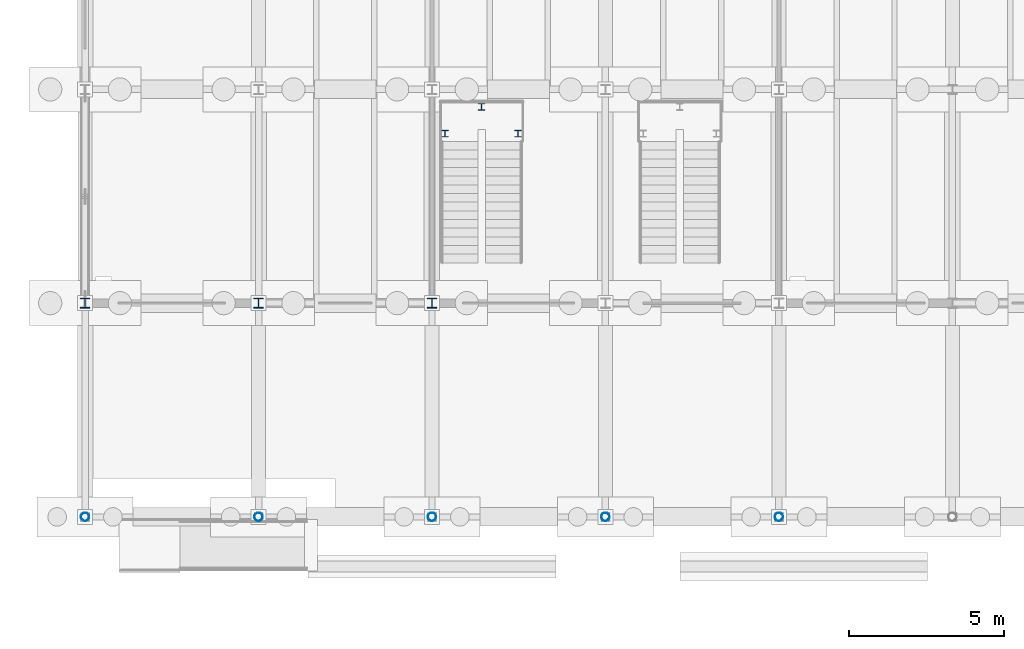
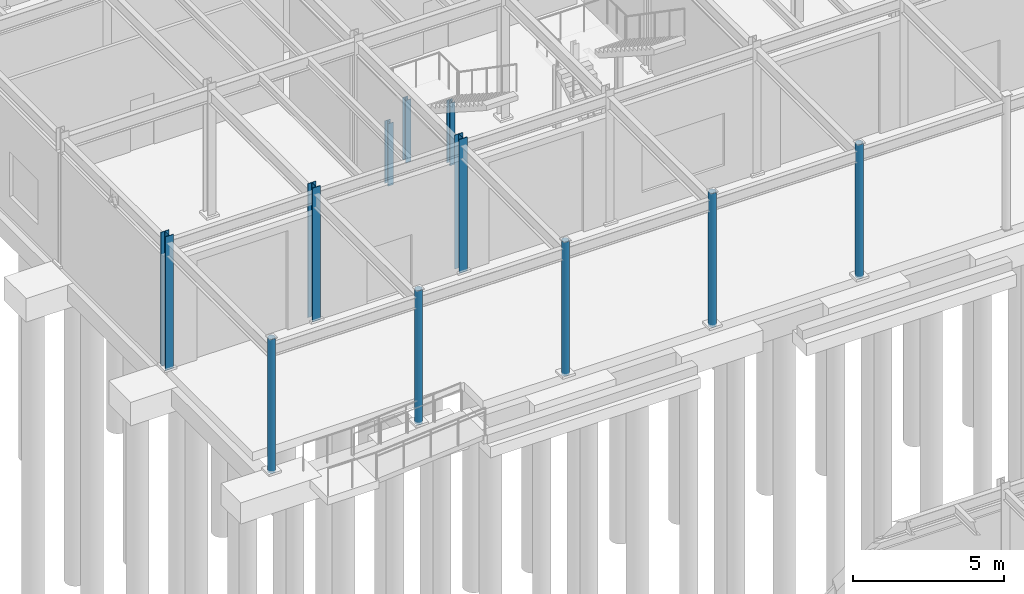
# One storey, part 10 of 82: 11 columns.
"""IFC4 building model written with IfcOpenShell, lengths in metres."""

import ifcopenshell
import ifcopenshell.guid

model = None  # the IFC model being written
_history = None  # IfcOwnerHistory: only IFC2X3 demands one
_inside = {}  # id of a spatial element -> (the spatial element, [elements in it])
_under = {}  # id of a project, library or spatial element -> (it, [spatial elements below it])
_declared = {}  # id of a project -> (the project, [libraries it declares])
_typed = {}  # id of a type object -> (the type object, [elements of that type])
_made_of = {}  # id of a material, layer set ... -> (it, [elements and type objects made of it])


def new_model(schema):
    """Start an empty IFC model of exactly this schema.

    Asked for "IFC4X3", IfcOpenShell would pick the latest addendum, in which some entities
    have other attributes; the version numbers below select the first issue.
    IFC2X3 requires an IfcOwnerHistory on every rooted entity: one is made here for all.
    """
    global model, _history
    if schema == "IFC4X3":
        model = ifcopenshell.file(schema_version=(4, 3, 0, 0))
    else:
        model = ifcopenshell.file(schema=schema)
    _inside.clear()
    _under.clear()
    _declared.clear()
    _typed.clear()
    _made_of.clear()
    _history = None
    if model.schema == "IFC2X3":
        org = make("IfcOrganization", Name="unknown")
        user = make(
            "IfcPersonAndOrganization",
            ThePerson=make("IfcPerson", FamilyName="unknown"),
            TheOrganization=org,
        )
        app = make(
            "IfcApplication",
            ApplicationDeveloper=org,
            Version="unknown",
            ApplicationFullName="unknown",
            ApplicationIdentifier="unknown",
        )
        _history = make(
            "IfcOwnerHistory",
            OwningUser=user,
            OwningApplication=app,
            ChangeAction="ADDED",
            CreationDate=0,
        )
    return model


def make(cls, **values):
    """One entity of the class cls with the attributes given. An attribute that is None is left unset."""
    return model.create_entity(
        cls, **{name: value for name, value in values.items() if value is not None}
    )


def rooted(cls, **values):
    """An entity with a GlobalId (a new one), such as an element, a storey or a relation."""
    return make(cls, GlobalId=ifcopenshell.guid.new(), OwnerHistory=_history, **values)


def si_unit(unit_type, name, prefix=None):
    """IfcSIUnit, for example si_unit("LENGTHUNIT", "METRE", prefix="MILLI")."""
    return make("IfcSIUnit", UnitType=unit_type, Prefix=prefix, Name=name)


def assignment(units):
    """IfcUnitAssignment: the units of a project."""
    return None if units is None else make("IfcUnitAssignment", Units=units)


def point(xyz):
    """IfcCartesianPoint."""
    return None if xyz is None else make("IfcCartesianPoint", Coordinates=xyz)


def direction(xyz):
    """IfcDirection."""
    return None if xyz is None else make("IfcDirection", DirectionRatios=xyz)


def frame(location, z_axis=None, x_axis=None):
    """IfcAxis2Placement3D, a coordinate frame: its origin and axes. An axis left out is left unset."""
    return make(
        "IfcAxis2Placement3D",
        Location=point(location),
        Axis=direction(z_axis),
        RefDirection=direction(x_axis),
    )


def frame_2d(location, x_axis=None):
    """IfcAxis2Placement2D, a coordinate frame in the plane: its origin and x axis."""
    return make(
        "IfcAxis2Placement2D", Location=point(location), RefDirection=direction(x_axis)
    )


def origin():
    """The frame at (0, 0, 0) with its axes left unset."""
    return frame((0.0, 0.0, 0.0))


def origin_2d():
    """The frame at (0, 0) in the plane with its x axis left unset."""
    return frame_2d((0.0, 0.0))


def place(relative_to, where):
    """IfcLocalPlacement: puts the frame where relative to a parent placement (None: the world)."""
    return make(
        "IfcLocalPlacement", PlacementRelTo=relative_to, RelativePlacement=where
    )


def context(
    kind, dimensions, precision=None, world=None, true_north=None, identifier=None
):
    """IfcGeometricRepresentationContext, for example the 3D "Model" context."""
    return make(
        "IfcGeometricRepresentationContext",
        ContextIdentifier=identifier,
        ContextType=kind,
        CoordinateSpaceDimension=dimensions,
        Precision=precision,
        WorldCoordinateSystem=world,
        TrueNorth=true_north,
    )


def subcontext(parent, identifier, kind, view, scale=None):
    """IfcGeometricRepresentationSubContext, for example "Body" below "Model"."""
    return make(
        "IfcGeometricRepresentationSubContext",
        ContextIdentifier=identifier,
        ContextType=kind,
        ParentContext=parent,
        TargetScale=scale,
        TargetView=view,
    )


def project(units=None, contexts=None):
    """IfcProject with its units and contexts."""
    return rooted(
        "IfcProject",
        Name="project",
        RepresentationContexts=contexts,
        UnitsInContext=assignment(units),
    )


def spatial(cls, under=None, at=None, **own):
    """A site, building, storey or space (cls), placed at a placement, below another one or the project."""
    s = rooted(cls, ObjectPlacement=at, **own)
    if under is not None:
        _under.setdefault(under.id(), (under, []))[1].append(s)
    return s


def profile(cls, at=None, kind="AREA", **sizes):
    """A parametric profile (cls). Its sizes go by their IFC names, for example OverallWidth=200.0."""
    return make(cls, ProfileType=kind, Position=at, **sizes)


def hollow_circle(**sizes):
    """IfcCircleHollowProfileDef."""
    return profile("IfcCircleHollowProfileDef", **sizes)


def i_section(**sizes):
    """IfcIShapeProfileDef."""
    return profile("IfcIShapeProfileDef", **sizes)


def extrude(swept, where, along, depth):
    """IfcExtrudedAreaSolid: the profile swept, set in the frame where, extruded along a direction by depth."""
    return make(
        "IfcExtrudedAreaSolid",
        SweptArea=swept,
        Position=where,
        ExtrudedDirection=direction(along),
        Depth=depth,
    )


def shape(context_of_items, identifier, shape_type, items):
    """IfcShapeRepresentation: the items that make up one representation, for example the "Body"."""
    return make(
        "IfcShapeRepresentation",
        ContextOfItems=context_of_items,
        RepresentationIdentifier=identifier,
        RepresentationType=shape_type,
        Items=items,
    )


def material(Name=None, Category=None):
    """IfcMaterial."""
    return make("IfcMaterial", Name=Name, Category=Category)


def material_profile(
    of_material, cross_section, Name=None, Category=None, Priority=None
):
    """IfcMaterialProfile: a cross section and its material."""
    return make(
        "IfcMaterialProfile",
        Name=Name,
        Material=of_material,
        Profile=cross_section,
        Priority=Priority,
        Category=Category,
    )


def profile_set(profiles, Name=None, composite=None):
    """IfcMaterialProfileSet."""
    return make(
        "IfcMaterialProfileSet",
        Name=Name,
        MaterialProfiles=profiles,
        CompositeProfile=composite,
    )


def made_of(thing, what):
    """Note that an element or type object is made of a material, layer set ...; save() writes the relation."""
    if what is not None:
        _made_of.setdefault(what.id(), (what, []))[1].append(thing)
    return thing


def type_object(cls, material=None, **own):
    """A type object (cls), such as IfcWallType, which elements share."""
    return made_of(rooted(cls, **own), material)


def element(
    cls,
    number,
    at=None,
    inside=None,
    cuts=None,
    type_object=None,
    material=None,
    context=None,
    identifier="Body",
    shape_type=None,
    held_by="IfcProductDefinitionShape",
    body=None,
    shapes=None,
    **own,
):
    """One element of the class cls, such as IfcWall. Its Tag is "e" and its number.

    at: its placement. inside: the storey or other place that contains it. cuts: it is an
    opening in that element (IfcRelVoidsElement). A single representation is given by context,
    identifier, shape_type and body (its items); several are given by shapes. held_by: the class
    of the entity that holds the representations. save() writes the other relations.
    """
    e = rooted(cls, Tag="e%d" % number, ObjectPlacement=at, **own)
    if body is not None:
        shapes = [shape(context, identifier, shape_type, body)]
    if shapes is not None:
        e.Representation = make(held_by, Representations=shapes)
    if inside is not None:
        _inside.setdefault(inside.id(), (inside, []))[1].append(e)
    if cuts is not None:
        rooted(
            "IfcRelVoidsElement", RelatingBuildingElement=cuts, RelatedOpeningElement=e
        )
    if type_object is not None:
        _typed.setdefault(type_object.id(), (type_object, []))[1].append(e)
    return made_of(e, material)


def aggregate(whole, parts):
    """IfcRelAggregates: a whole, such as a stair, and the parts it consists of."""
    return rooted("IfcRelAggregates", RelatingObject=whole, RelatedObjects=parts)


def save(model, path):
    """Write the relations noted so far, then the file.

    IfcRelAggregates (storeys below a building ...), IfcRelContainedInSpatialStructure (elements
    in a storey), IfcRelDefinesByType, IfcRelAssociatesMaterial and IfcRelDeclares: one each for
    every whole, place, type object, material and project.
    """
    for whole, parts in _under.values():
        aggregate(whole, parts)
    for where, things in _inside.values():
        rooted(
            "IfcRelContainedInSpatialStructure",
            RelatedElements=things,
            RelatingStructure=where,
        )
    for kind, things in _typed.values():
        rooted("IfcRelDefinesByType", RelatedObjects=things, RelatingType=kind)
    for what, things in _made_of.values():
        rooted("IfcRelAssociatesMaterial", RelatedObjects=things, RelatingMaterial=what)
    for by, libraries in _declared.values():
        rooted("IfcRelDeclares", RelatingContext=by, RelatedDefinitions=libraries)
    model.write(path)


model = new_model("IFC4")

# Units and contexts
model_context = context("Model", 3, precision=1e-05, world=origin(), true_north=direction((0.0, 1.0)))
body_context = subcontext(model_context, "Body", "Model", "MODEL_VIEW")
ifc_project = project(units=[si_unit("LENGTHUNIT", "METRE"), si_unit("AREAUNIT", "SQUARE_METRE"), si_unit("VOLUMEUNIT", "CUBIC_METRE"), si_unit("PLANEANGLEUNIT", "RADIAN"), si_unit("MASSUNIT", "GRAM", prefix="KILO")], contexts=[model_context])

# Site, building, storey
site_placement = place(None, origin())
site = spatial("IfcSite", under=ifc_project, at=site_placement, CompositionType="ELEMENT")
building_placement = place(site_placement, origin())
building = spatial("IfcBuilding", under=site, at=building_placement, Name="Trelmorton Wharf Fire Station", CompositionType="ELEMENT")
storey_placement = place(building_placement, origin())
storey = spatial("IfcBuildingStorey", under=building, at=storey_placement, Name="L00", CompositionType="ELEMENT", Elevation=0.0)

# Columns
ifc_material_1 = material(Name="Steel Grade 350", Category="steel")
ifc_material_profile_1 = material_profile(ifc_material_1, i_section(OverallWidth=0.205078125, OverallDepth=0.2099609375, WebThickness=0.00927734375, FlangeThickness=0.01416015625, FilletRadius=0.011474609375, at=origin_2d()), Name="200UC59.5")
ifc_profile_set_1 = profile_set([ifc_material_profile_1], Name="Steel Grade 350")
column_type_1 = type_object("IfcColumnType", Name="COL_200UC60", PredefinedType="COLUMN", material=ifc_profile_set_1)
for number, where, z_axis, x_axis, name in (
    (1, (12.419921875, 65.77001953125, 0.0), (0.0, 0.0, 1.0), (1.0, 0.0, 0.0), "COL-STS-01-1"),
    (2, (14.780029296875, 65.77001953125, 0.0), (0.0, 0.0, 1.0), (1.0, 0.0, 0.0), "COL-STS-01-2"),
    (3, (13.60009765625, 66.639892578125, 0.0), (0.0, 0.0, 1.0), (1.0, 0.0, 0.0), "COL-STS-01-3"),
):
    element("IfcColumn", number, at=place(storey_placement, frame(where, z_axis=z_axis, x_axis=x_axis)), inside=storey, type_object=column_type_1, Name=name, PredefinedType="COLUMN", context=body_context, shape_type="SweptSolid", body=[
        extrude(i_section(OverallWidth=0.205078125, OverallDepth=0.2099609375, WebThickness=0.00927734375, FlangeThickness=0.01416015625, FilletRadius=0.011474609375, at=origin_2d()), origin(), (0.0, 0.0, 1.0), 2.52001953125),
    ])
ifc_material_profile_2 = material_profile(ifc_material_1, i_section(OverallWidth=0.306884765625, OverallDepth=0.31494140625, WebThickness=0.011962890625, FlangeThickness=0.018798828125, FilletRadius=0.0166015625, at=origin_2d()), Name="310UC118")
ifc_profile_set_2 = profile_set([ifc_material_profile_2], Name="Steel Grade 350")
column_type_2 = type_object("IfcColumnType", Name="COL_310UC118", PredefinedType="COLUMN", material=ifc_profile_set_2)
for number, where, z_axis, x_axis, name in (
    (4, (0.800048828125, 60.300048828125, 0.0), (0.0, 0.0, 1.0), (1.0, 0.0, 0.0), "COL-L00-0008"),
    (5, (6.39990234375, 60.300048828125, 0.0), (0.0, 0.0, 1.0), (1.0, 0.0, 0.0), "COL-L00-0019"),
    (6, (12.0, 60.300048828125, 0.0), (0.0, 0.0, 1.0), (1.0, 0.0, 0.0), "COL-L00-0028"),
):
    element("IfcColumn", number, at=place(storey_placement, frame(where, z_axis=z_axis, x_axis=x_axis)), inside=storey, type_object=column_type_2, Name=name, PredefinedType="COLUMN", context=body_context, shape_type="SweptSolid", body=[
        extrude(i_section(OverallWidth=0.306884765625, OverallDepth=0.31494140625, WebThickness=0.011962890625, FlangeThickness=0.018798828125, FilletRadius=0.0166015625, at=origin_2d()), origin(), (0.0, 0.0, 1.0), 5.39990234375),
    ])
ifc_material_2 = material(Name="Steel C350L0 (350 MPa)", Category="steel")
ifc_material_profile_3 = material_profile(ifc_material_2, hollow_circle(Radius=0.136474609375, WallThickness=0.00927734375, at=origin_2d()), Name="273.1x9.3CHS")
ifc_profile_set_3 = profile_set([ifc_material_profile_3], Name="Steel C350L0 (350 MPa)")
column_type_3 = type_object("IfcColumnType", Name="COL_CHS273", PredefinedType="COLUMN", material=ifc_profile_set_3)
for number, where, z_axis, x_axis, name in (
    (7, (0.800048828125, 53.39990234375, 0.0), (0.0, 0.0, 1.0), (1.0, 0.0, 0.0), "COL-L00-0007"),
    (8, (6.39990234375, 53.39990234375, 0.0), (0.0, 0.0, 1.0), (1.0, 0.0, 0.0), "COL-L00-0018"),
    (9, (12.0, 53.39990234375, 0.0), (0.0, 0.0, 1.0), (1.0, 0.0, 0.0), "COL-L00-0027"),
    (10, (17.60009765625, 53.39990234375, 0.0), (0.0, 0.0, 1.0), (1.0, 0.0, 0.0), "COL-L00-0036"),
    (11, (23.199951171875, 53.39990234375, 0.0), (0.0, 0.0, 1.0), (1.0, 0.0, 0.0), "COL-L00-0045"),
):
    element("IfcColumn", number, at=place(storey_placement, frame(where, z_axis=z_axis, x_axis=x_axis)), inside=storey, type_object=column_type_3, Name=name, PredefinedType="COLUMN", context=body_context, shape_type="SweptSolid", body=[
        extrude(hollow_circle(Radius=0.136474609375, WallThickness=0.00927734375, at=origin_2d()), origin(), (0.0, 0.0, 1.0), 5.39990234375),
    ])

save(model, "model.ifc")
